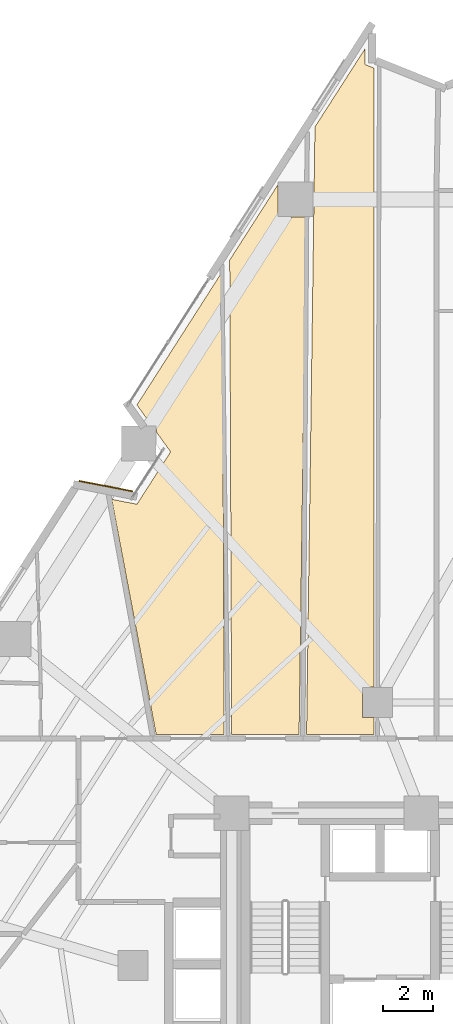
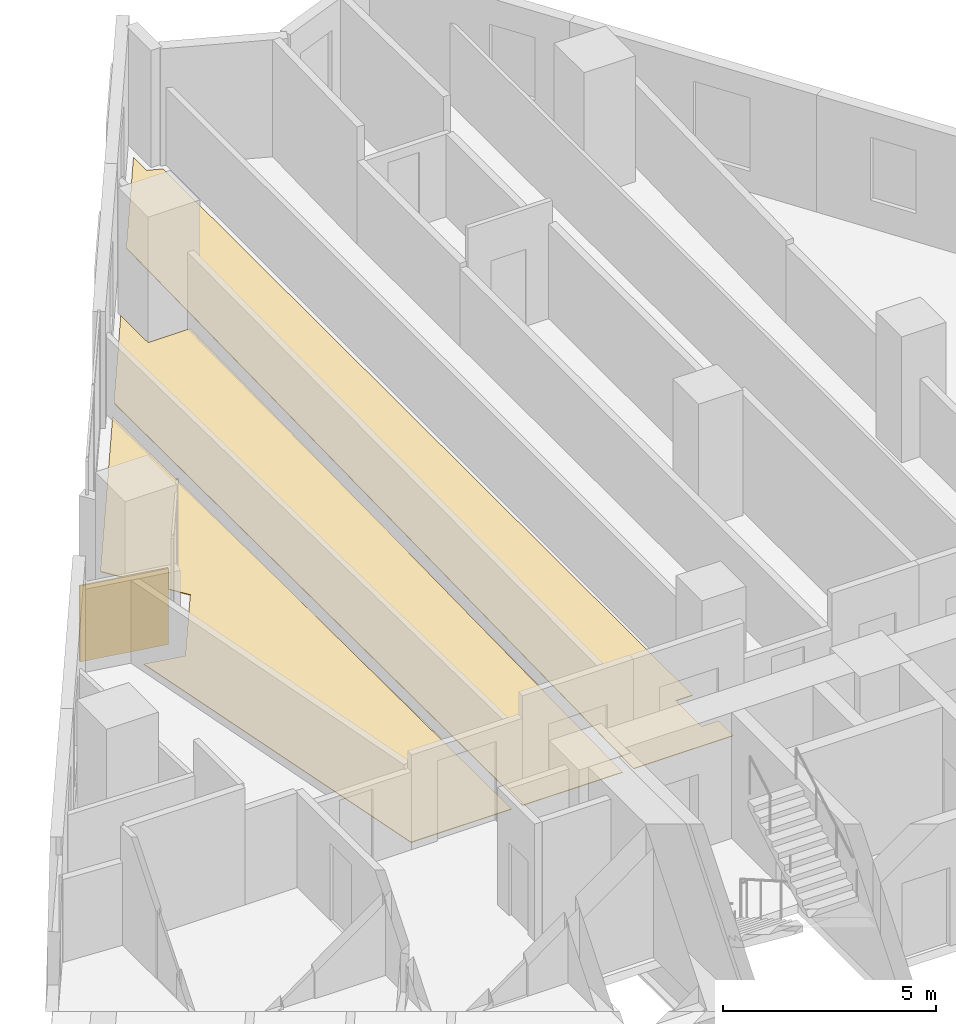
# One storey, part 13 of 15: 4 coverings.
"""IFC4 building model written with IfcOpenShell, lengths in metres."""

from ifc_helpers import new_model, si_unit, direction, frame, origin, origin_2d, place, context, subcontext, project, spatial, polyline, rectangle, outline, extrude, material, layer, layer_set, type_object, element, save


model = new_model("IFC4")

# Units and contexts
model_context = context("Model", 3, precision=1e-05, world=origin(), true_north=direction((0.0, 1.0)))
body_context = subcontext(model_context, "Body", "Model", "MODEL_VIEW")
ifc_project = project(units=[si_unit("LENGTHUNIT", "METRE"), si_unit("AREAUNIT", "SQUARE_METRE"), si_unit("VOLUMEUNIT", "CUBIC_METRE"), si_unit("PLANEANGLEUNIT", "RADIAN"), si_unit("MASSUNIT", "GRAM", prefix="KILO")], contexts=[model_context])

# Site, building, storey
site_placement = place(None, origin())
site = spatial("IfcSite", under=ifc_project, at=site_placement, CompositionType="ELEMENT")
building_placement = place(site_placement, origin())
building = spatial("IfcBuilding", under=site, at=building_placement, Name="Almagre Mirador Tower", CompositionType="ELEMENT")
storey_placement = place(building_placement, frame((0.0, 0.0, 31.800048828125)))
storey = spatial("IfcBuildingStorey", under=building, at=storey_placement, Name="L06", CompositionType="ELEMENT", Elevation=31.800048828125)

# Coverings
ifc_material_1 = material(Name="Almagre terracotta architectural cladding", Category="masonry")
ifc_layer_1 = layer(ifc_material_1, 0.044921875)
ifc_layer_set_1 = layer_set([ifc_layer_1], Name="Almagre terracotta architectural cladding")
covering_type_1 = type_object("IfcCoveringType", Name="COV-CLAD-ALMAGRE", PredefinedType="CLADDING", material=ifc_layer_set_1)
covering_1_placement = place(storey_placement, frame((22.50634765625, 27.869384765625, 0.10009765625), z_axis=(0.0, 0.0, 1.0), x_axis=(0.981746878502, -0.190192183203, 0.0)))
element("IfcCovering", 1, at=covering_1_placement, inside=storey, type_object=covering_type_1, Name="L06 almagre terracotta pier cladding", PredefinedType="CLADDING", context=body_context, shape_type="SweptSolid", body=[
    extrude(rectangle(XDim=2.193115234375, YDim=0.044921875, at=origin_2d()), origin(), (0.0, 0.0, 1.0), 2.175048828125),
])
ifc_material_2 = material(Name="Engineered white oak flooring", Category="wood")
ifc_layer_2 = layer(ifc_material_2, 0.01806640625)
ifc_layer_set_2 = layer_set([ifc_layer_2], Name="Engineered white oak flooring")
covering_type_2 = type_object("IfcCoveringType", Name="COV-FLR-OAK-18", PredefinedType="FLOORING", material=ifc_layer_set_2)
covering_2_placement = place(storey_placement, origin())
element("IfcCovering", 2, at=covering_2_placement, inside=storey, type_object=covering_type_2, Name="L06 L06 Residents Reading Gallery H finish flooring", PredefinedType="FLOORING", context=body_context, shape_type="SweptSolid", body=[
    extrude(outline(polyline([(24.52392578125, 17.89990234375), (22.739013671875, 27.340087890625), (23.7509765625, 27.14306640625), (25.10107421875, 29.2451171875), (24.527099609375, 30.0439453125), (24.527099609375, 30.278076171875), (24.35888671875, 30.278076171875), (23.7509765625, 31.125), (27.172119140625, 36.470947265625), (27.2490234375, 17.89990234375), (24.52392578125, 17.89990234375)])), origin(), (0.0, 0.0, 1.0), 0.01806640625),
])
covering_3_placement = place(storey_placement, origin())
element("IfcCovering", 3, at=covering_3_placement, inside=storey, type_object=covering_type_2, Name="L06 L06 Residents Reading Gallery K finish flooring", PredefinedType="FLOORING", context=body_context, shape_type="SweptSolid", body=[
    extrude(outline(polyline([(27.469970703125, 36.93603515625), (29.39697265625, 39.945068359375), (29.39697265625, 38.66796875), (30.5390625, 38.66796875), (30.251953125, 17.89990234375), (27.549072265625, 17.89990234375), (27.469970703125, 36.93603515625)])), origin(), (0.0, 0.0, 1.0), 0.01806640625),
])
covering_4_placement = place(storey_placement, origin())
element("IfcCovering", 4, at=covering_4_placement, inside=storey, type_object=covering_type_2, Name="L06 L06 Residents Reading Gallery L finish flooring", PredefinedType="FLOORING", context=body_context, shape_type="SweptSolid", body=[
    extrude(outline(polyline([(33.25, 44.636962890625), (33.25, 19.804931640625), (32.794921875, 19.804931640625), (32.794921875, 18.594970703125), (33.25, 18.594970703125), (33.25, 17.89990234375), (30.552001953125, 17.89990234375), (30.888916015625, 42.27490234375), (32.889892578125, 45.39794921875), (32.889892578125, 44.777099609375), (33.25, 44.636962890625)])), origin(), (0.0, 0.0, 1.0), 0.01806640625),
])

save(model, "model.ifc")
